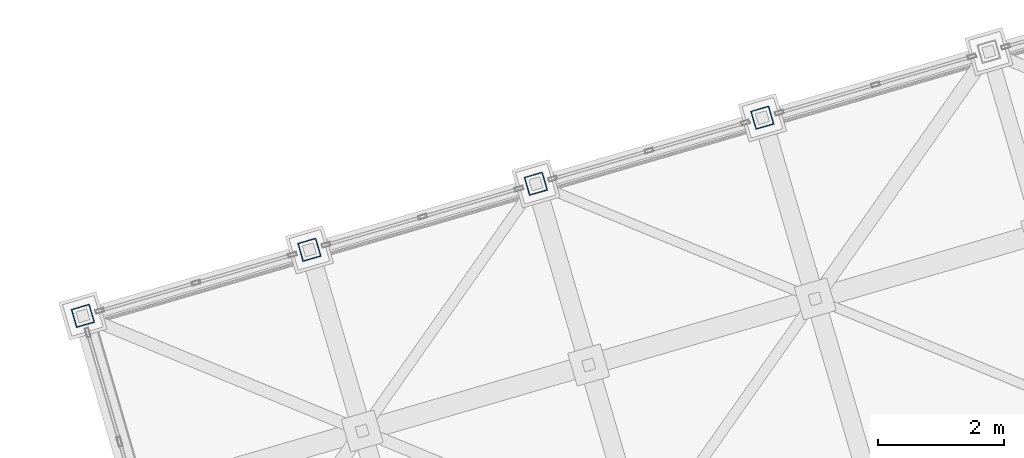
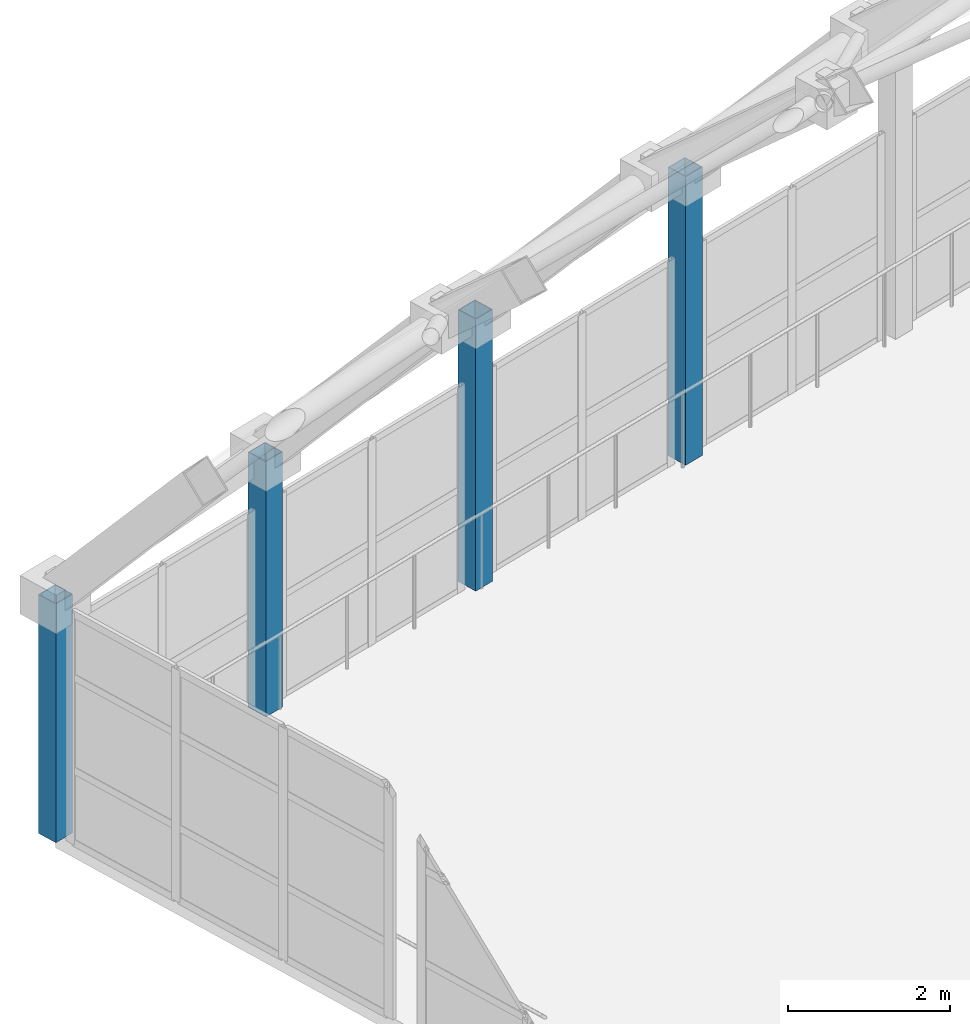
# One storey, part 4 of 248: 4 columns.
"""IFC4 building model written with IfcOpenShell, lengths in metres."""

from ifc_helpers import new_model, si_unit, direction, frame, origin, origin_2d, place, context, subcontext, project, spatial, hollow_rectangle, extrude, material, material_profile, profile_set, type_object, element, save


model = new_model("IFC4")

# Units and contexts
model_context = context("Model", 3, precision=1e-05, world=origin(), true_north=direction((0.0, 1.0)))
body_context = subcontext(model_context, "Body", "Model", "MODEL_VIEW")
ifc_project = project(units=[si_unit("LENGTHUNIT", "METRE"), si_unit("AREAUNIT", "SQUARE_METRE"), si_unit("VOLUMEUNIT", "CUBIC_METRE"), si_unit("PLANEANGLEUNIT", "RADIAN"), si_unit("MASSUNIT", "GRAM", prefix="KILO")], contexts=[model_context])

# Site, building, storey
site_placement = place(None, origin())
site = spatial("IfcSite", under=ifc_project, at=site_placement, CompositionType="ELEMENT")
building_placement = place(site_placement, origin())
building = spatial("IfcBuilding", under=site, at=building_placement, Name="Canggui Botanical Conservatory", CompositionType="ELEMENT")
storey_placement = place(building_placement, frame((0.0, 0.0, 5.39990234375)))
storey = spatial("IfcBuildingStorey", under=building, at=storey_placement, Name="L02", CompositionType="ELEMENT", Elevation=5.39990234375)

# Columns
ifc_material = material(Name="Steel Q355C", Category="steel")
ifc_material_profile = material_profile(ifc_material, hollow_rectangle(XDim=0.300048828125, YDim=0.300048828125, WallThickness=0.010009765625, at=origin_2d()), Name="SHS 300x300x10")
ifc_profile_set = profile_set([ifc_material_profile], Name="Steel Q355C")
column_type = type_object("IfcColumnType", Name="COL-GZ02", PredefinedType="COLUMN", material=ifc_profile_set)
column_1_placement = place(storey_placement, frame((11.60009765625, 70.800048828125, 0.0), z_axis=(0.0, 0.0, 1.0), x_axis=(0.960000000041, 0.279999999861, 0.0)))
element("IfcColumn", 1, at=column_1_placement, inside=storey, type_object=column_type, Name="Conservatory Upper Arch Pier L02 R1-V1", PredefinedType="COLUMN", context=body_context, shape_type="SweptSolid", body=[
    extrude(hollow_rectangle(XDim=0.300048828125, YDim=0.300048828125, WallThickness=0.010009765625, at=origin_2d()), origin(), (0.0, 0.0, 1.0), 3.60009765625),
])
column_2_placement = place(storey_placement, frame((15.199951171875, 71.85009765625, 0.0), z_axis=(0.0, 0.0, 1.0), x_axis=(0.960000000041, 0.279999999861, 0.0)))
element("IfcColumn", 2, at=column_2_placement, inside=storey, type_object=column_type, Name="Conservatory Upper Arch Pier L02 R2-V1", PredefinedType="COLUMN", context=body_context, shape_type="SweptSolid", body=[
    extrude(hollow_rectangle(XDim=0.300048828125, YDim=0.300048828125, WallThickness=0.010009765625, at=origin_2d()), origin(), (0.0, 0.0, 1.0), 3.85009765625),
])
column_3_placement = place(storey_placement, frame((18.800048828125, 72.89990234375, 0.0), z_axis=(0.0, 0.0, 1.0), x_axis=(0.960000000041, 0.279999999861, 0.0)))
element("IfcColumn", 3, at=column_3_placement, inside=storey, type_object=column_type, Name="Conservatory Upper Arch Pier L02 R3-V1", PredefinedType="COLUMN", context=body_context, shape_type="SweptSolid", body=[
    extrude(hollow_rectangle(XDim=0.300048828125, YDim=0.300048828125, WallThickness=0.010009765625, at=origin_2d()), origin(), (0.0, 0.0, 1.0), 4.10009765625),
])
column_4_placement = place(storey_placement, frame((22.39990234375, 73.949951171875, 0.0), z_axis=(0.0, 0.0, 1.0), x_axis=(0.960000000041, 0.279999999861, 0.0)))
element("IfcColumn", 4, at=column_4_placement, inside=storey, type_object=column_type, Name="Conservatory Upper Arch Pier L02 R4-V1", PredefinedType="COLUMN", context=body_context, shape_type="SweptSolid", body=[
    extrude(hollow_rectangle(XDim=0.300048828125, YDim=0.300048828125, WallThickness=0.010009765625, at=origin_2d()), origin(), (0.0, 0.0, 1.0), 4.35009765625),
])

save(model, "model.ifc")
